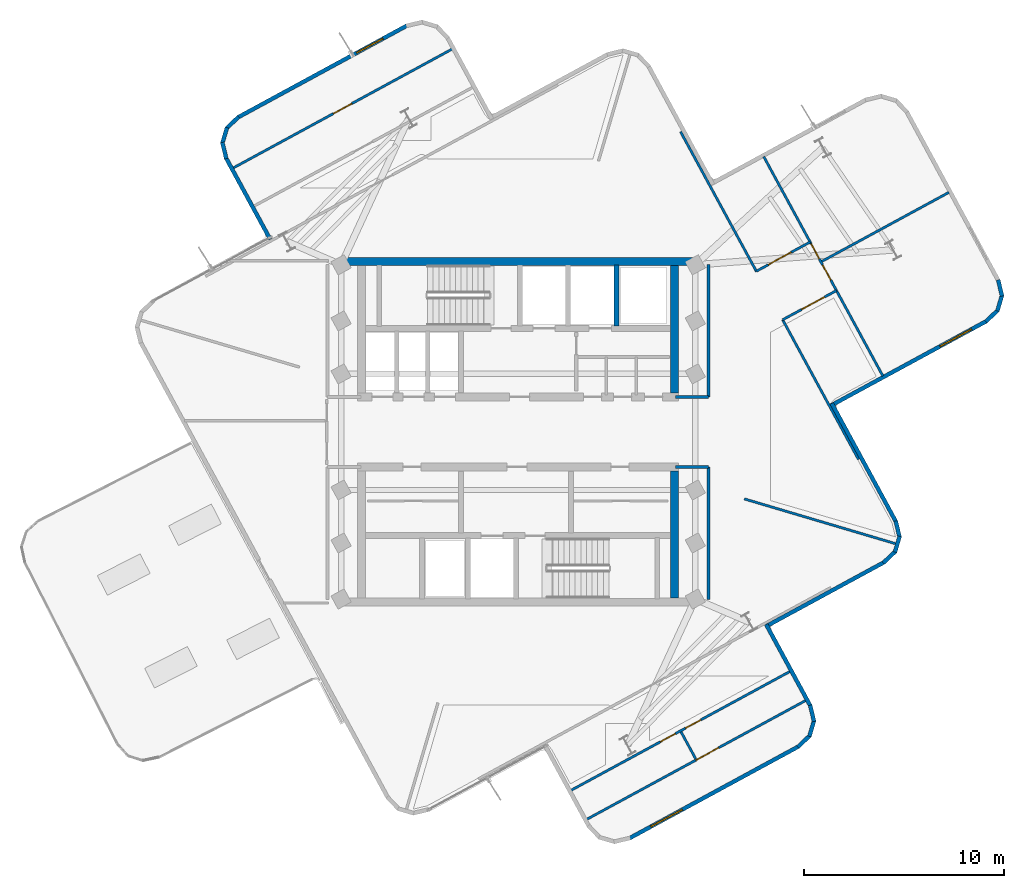
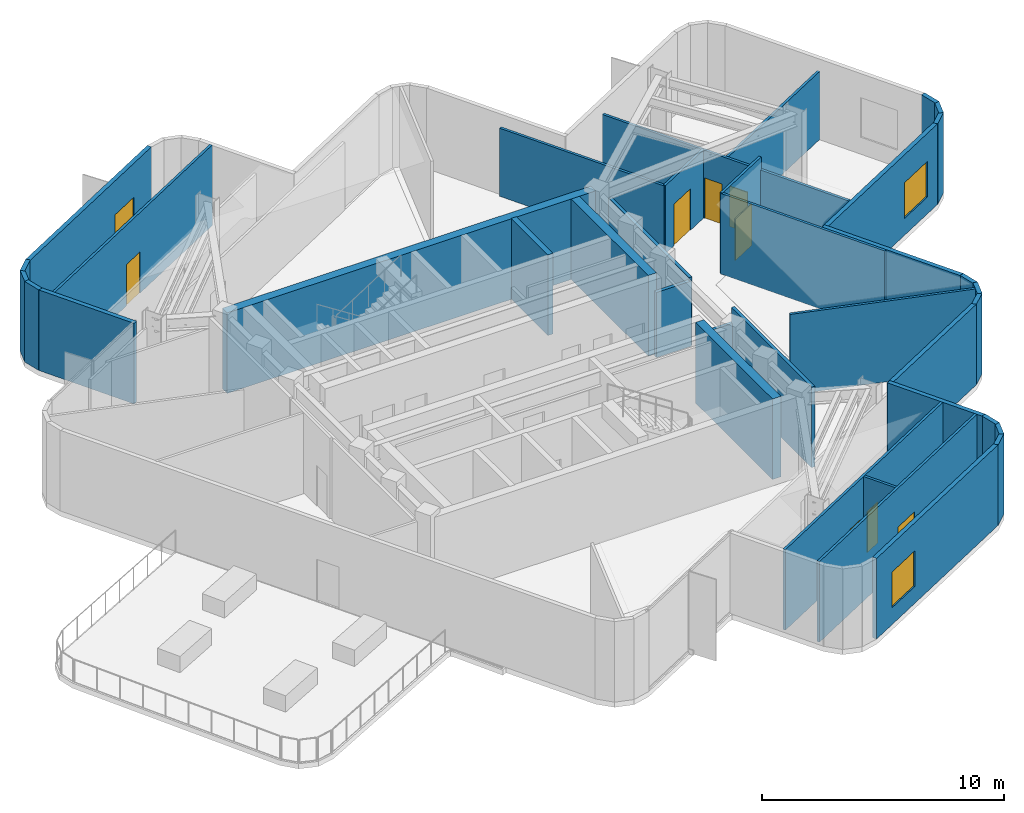
# One storey, part 5 of 10: 38 walls, 8 doors, 3 windows, 11 openings.
"""IFC4 building model written with IfcOpenShell, lengths in metres."""

from ifc_helpers import new_model, si_unit, direction, frame, frame_2d, origin, place, context, subcontext, project, spatial, rectangle, extrude, material, layer, layer_set, type_object, element, fill, save


model = new_model("IFC4")

# Units and contexts
model_context = context("Model", 3, precision=1e-05, world=origin(), true_north=direction((0.0, 1.0)))
body_context = subcontext(model_context, "Body", "Model", "MODEL_VIEW")
ifc_project = project(units=[si_unit("LENGTHUNIT", "METRE"), si_unit("AREAUNIT", "SQUARE_METRE"), si_unit("VOLUMEUNIT", "CUBIC_METRE"), si_unit("PLANEANGLEUNIT", "RADIAN"), si_unit("MASSUNIT", "GRAM", prefix="KILO")], contexts=[model_context])

# Site, building, storey
site_placement = place(None, origin())
site = spatial("IfcSite", under=ifc_project, at=site_placement, CompositionType="ELEMENT")
building_placement = place(site_placement, origin())
building = spatial("IfcBuilding", under=site, at=building_placement, Name="Solmarez Civic Tower", CompositionType="ELEMENT")
storey_placement = place(building_placement, frame((0.0, 0.0, 200.8798828125)))
storey = spatial("IfcBuildingStorey", under=building, at=storey_placement, Name="L53", CompositionType="ELEMENT", Elevation=200.8798828125)

# Walls
ifc_material_1 = material(Name="Concrete C50/60", Category="concrete")
ifc_layer_1 = layer(ifc_material_1, 0.39990234375)
ifc_layer_set_1 = layer_set([ifc_layer_1], Name="Concrete C50/60")
wall_type_1 = type_object("IfcWallType", Name="WALL-CORE-400", PredefinedType="SHEAR", material=ifc_layer_set_1)
wall_1_placement = place(storey_placement, frame((-8.780029296875, 8.510009765625, 0.0), z_axis=(0.0, 0.0, 1.0), x_axis=(1.0, 0.0, 0.0)))
element("IfcWall", 1, at=wall_1_placement, inside=storey, type_object=wall_type_1, Name="L53 Split-Core Structural Wall NCW-N-L53", PredefinedType="SHEAR", context=body_context, shape_type="SweptSolid", body=[
    extrude(rectangle(XDim=17.56005859375, YDim=0.39990234375, at=frame_2d((8.780029296875, 0.0))), origin(), (0.0, 0.0, 1.0), 4.06005859375),
])
for number, where, z_axis, x_axis, name in (
    (2, (7.820068359375, 8.31005859375, 0.0), (0.0, 0.0, 1.0), (0.0, -1.0, 0.0), "L53 Split-Core Structural Wall NCW-E-L53"),
    (3, (7.820068359375, -1.949951171875, 0.0), (0.0, 0.0, 1.0), (0.0, -1.0, 0.0), "L53 Split-Core Structural Wall SCW-E-L53"),
):
    element("IfcWall", number, at=place(storey_placement, frame(where, z_axis=z_axis, x_axis=x_axis)), inside=storey, type_object=wall_type_1, Name=name, PredefinedType="SHEAR", context=body_context, shape_type="SweptSolid", body=[
        extrude(rectangle(XDim=6.360107421875, YDim=0.39990234375, at=frame_2d((3.18017578125, 0.0))), origin(), (0.0, 0.0, 1.0), 4.06005859375),
    ])
ifc_material_2 = material(Name="Precast concrete C40/50", Category="concrete")
ifc_layer_2 = layer(ifc_material_2, 0.199951171875)
ifc_layer_set_2 = layer_set([ifc_layer_2], Name="Precast concrete C40/50")
wall_type_2 = type_object("IfcWallType", Name="WALL-EXT-200", PredefinedType="SOLIDWALL", material=ifc_layer_set_2)
wall_2_placement = place(storey_placement, frame((-12.39306640625, 9.623046875, 0.0), z_axis=(0.0, 0.0, 1.0), x_axis=(-0.47719284897, 0.878798603146, 0.0)))
element("IfcWall", 4, at=wall_2_placement, inside=storey, type_object=wall_type_2, Name="L53 Exterior Precast Wall 13", PredefinedType="SOLIDWALL", context=body_context, shape_type="SweptSolid", body=[
    extrude(rectangle(XDim=4.641357421875, YDim=0.199951171875, at=frame_2d((2.32080078125, 0.0))), origin(), (0.0, 0.0, 1.0), 4.06005859375),
])
wall_3_placement = place(storey_placement, frame((-14.590087890625, 13.656005859375, 0.0), z_axis=(0.0, 0.0, 1.0), x_axis=(-0.233880279999, 0.972265403389, 0.0)))
element("IfcWall", 5, at=wall_3_placement, inside=storey, type_object=wall_type_2, Name="L53 Exterior Precast Wall 14", PredefinedType="SOLIDWALL", context=body_context, shape_type="SweptSolid", body=[
    extrude(rectangle(XDim=0.837158203125, YDim=0.199951171875, at=frame_2d((0.41845703125, 0.0))), origin(), (0.0, 0.0, 1.0), 4.06005859375),
])
wall_4_placement = place(storey_placement, frame((-14.787109375, 14.422119140625, 0.0), z_axis=(0.0, 0.0, 1.0), x_axis=(0.28389681639, 0.958854836586, 0.0)))
element("IfcWall", 6, at=wall_4_placement, inside=storey, type_object=wall_type_2, Name="L53 Exterior Precast Wall 15", PredefinedType="SOLIDWALL", context=body_context, shape_type="SweptSolid", body=[
    extrude(rectangle(XDim=0.82470703125, YDim=0.199951171875, at=frame_2d((0.412353515625, 0.0))), origin(), (0.0, 0.0, 1.0), 4.06005859375),
])
wall_5_placement = place(storey_placement, frame((-14.577880859375, 15.172119140625, 0.0), z_axis=(0.0, 0.0, 1.0), x_axis=(0.724810143348, 0.688948659988, 0.0)))
element("IfcWall", 7, at=wall_5_placement, inside=storey, type_object=wall_type_2, Name="L53 Exterior Precast Wall 16", PredefinedType="SOLIDWALL", context=body_context, shape_type="SweptSolid", body=[
    extrude(rectangle(XDim=0.83740234375, YDim=0.199951171875, at=frame_2d((0.418701171875, 0.0))), origin(), (0.0, 0.0, 1.0), 4.06005859375),
])

# Wall, opening, window
wall_6_placement = place(storey_placement, frame((-14.010986328125, 15.719970703125, 0.0), z_axis=(0.0, 0.0, 1.0), x_axis=(0.878829422659, 0.477136087368, 0.0)))
wall_6 = element("IfcWall", 8, at=wall_6_placement, inside=storey, type_object=wall_type_2, Name="L53 Exterior Precast Wall 17", PredefinedType="SOLIDWALL", context=body_context, shape_type="SweptSolid", body=[
    extrude(rectangle(XDim=9.624267578125, YDim=0.199951171875, at=frame_2d((4.81201171875, 0.0))), origin(), (0.0, 0.0, 1.0), 4.06005859375),
])
opening_1_placement = place(wall_6_placement, frame((6.757080078125, 0.0, 0.85009765625)))
opening_1 = element("IfcOpeningElement", 9, at=opening_1_placement, cuts=wall_6, Name="Opening W-14", PredefinedType="OPENING", context=body_context, shape_type="SweptSolid", body=[
    extrude(rectangle(XDim=1.5, YDim=1.5, at=frame_2d((0.75, 0.75))), frame((0.0, 0.10986328125, 0.0), z_axis=(0.0, -1.0, 0.0), x_axis=(1.0, 0.0, 0.0)), (0.0, 0.0, 1.0), 0.219970703125),
])
ifc_material_3 = material(Name="Solar Control Bronze-Tinted Insulating Glass", Category="glass")
window_type_1 = type_object("IfcWindowType", Name="WIN-1500X1500", PartitioningType="SINGLE_PANEL", PredefinedType="WINDOW", material=ifc_material_3)
window_1_placement = place(opening_1_placement, origin())
window_1 = element("IfcWindow", 10, at=window_1_placement, inside=storey, type_object=window_type_1, Name="L53 Exterior Facade Window 17", OverallHeight=1.5, OverallWidth=1.5, PartitioningType="SINGLE_PANEL", PredefinedType="WINDOW", context=body_context, shape_type="SweptSolid", body=[
    extrude(rectangle(XDim=1.5, YDim=1.5, at=frame_2d((0.75, 0.75))), frame((0.0, 0.030029296875, 0.0), z_axis=(0.0, -1.0, 0.0), x_axis=(1.0, 0.0, 0.0)), (0.0, 0.0, 1.0), 0.06005859375),
])
fill(opening_1, window_1)

# Walls
wall_7_placement = place(storey_placement, frame((23.985107421875, 7.60302734375, 0.0), z_axis=(0.0, 0.0, 1.0), x_axis=(0.233880279999, -0.972265403389, 0.0)))
element("IfcWall", 11, at=wall_7_placement, inside=storey, type_object=wall_type_2, Name="L53 Exterior Precast Wall 36", PredefinedType="SOLIDWALL", context=body_context, shape_type="SweptSolid", body=[
    extrude(rectangle(XDim=0.837158203125, YDim=0.199951171875, at=frame_2d((0.41845703125, 0.0))), origin(), (0.0, 0.0, 1.0), 4.06005859375),
])
wall_8_placement = place(storey_placement, frame((24.181884765625, 6.8369140625, 0.0), z_axis=(0.0, 0.0, 1.0), x_axis=(-0.283544107847, -0.958959195641, 0.0)))
element("IfcWall", 12, at=wall_8_placement, inside=storey, type_object=wall_type_2, Name="L53 Exterior Precast Wall 37", PredefinedType="SOLIDWALL", context=body_context, shape_type="SweptSolid", body=[
    extrude(rectangle(XDim=0.824951171875, YDim=0.199951171875, at=frame_2d((0.41259765625, 0.0))), origin(), (0.0, 0.0, 1.0), 4.06005859375),
])
wall_9_placement = place(storey_placement, frame((23.972900390625, 6.0869140625, 0.0), z_axis=(0.0, 0.0, 1.0), x_axis=(-0.725362992084, -0.688366566384, 0.0)))
element("IfcWall", 13, at=wall_9_placement, inside=storey, type_object=wall_type_2, Name="L53 Exterior Precast Wall 38", PredefinedType="SOLIDWALL", context=body_context, shape_type="SweptSolid", body=[
    extrude(rectangle(XDim=0.838134765625, YDim=0.199951171875, at=frame_2d((0.4189453125, 0.0))), origin(), (0.0, 0.0, 1.0), 4.06005859375),
])

# Wall, opening, window
wall_10_placement = place(storey_placement, frame((23.405029296875, 5.5390625, 0.0), z_axis=(0.0, 0.0, 1.0), x_axis=(-0.878806785067, -0.477177780832, 0.0)))
wall_10 = element("IfcWall", 14, at=wall_10_placement, inside=storey, type_object=wall_type_2, Name="L53 Exterior Precast Wall 39", PredefinedType="SOLIDWALL", context=body_context, shape_type="SweptSolid", body=[
    extrude(rectangle(XDim=8.841552734375, YDim=0.199951171875, at=frame_2d((4.4208984375, 0.0))), origin(), (0.0, 0.0, 1.0), 4.06005859375),
])
opening_2_placement = place(wall_10_placement, frame((0.85009765625, 0.0, 0.85009765625)))
opening_2 = element("IfcOpeningElement", 15, at=opening_2_placement, cuts=wall_10, Name="Opening W-08", PredefinedType="OPENING", context=body_context, shape_type="SweptSolid", body=[
    extrude(rectangle(XDim=1.800048828125, YDim=1.800048828125, at=frame_2d((0.89990234375, 0.89990234375))), frame((0.0, 0.10986328125, 0.0), z_axis=(0.0, -1.0, 0.0), x_axis=(1.0, 0.0, 0.0)), (0.0, 0.0, 1.0), 0.219970703125),
])
window_type_2 = type_object("IfcWindowType", Name="WIN-1800X1800", PartitioningType="SINGLE_PANEL", PredefinedType="WINDOW", material=ifc_material_3)
window_2_placement = place(opening_2_placement, origin())
window_2 = element("IfcWindow", 16, at=window_2_placement, inside=storey, type_object=window_type_2, Name="L53 Exterior Facade Window 39", OverallHeight=1.800048828125, OverallWidth=1.800048828125, PartitioningType="SINGLE_PANEL", PredefinedType="WINDOW", context=body_context, shape_type="SweptSolid", body=[
    extrude(rectangle(XDim=1.800048828125, YDim=1.800048828125, at=frame_2d((0.89990234375, 0.89990234375))), frame((0.0, 0.030029296875, 0.0), z_axis=(0.0, -1.0, 0.0), x_axis=(1.0, 0.0, 0.0)), (0.0, 0.0, 1.0), 0.06005859375),
])
fill(opening_2, window_2)

# Walls
wall_11_placement = place(storey_placement, frame((15.6669921875, 1.427978515625, 0.0), z_axis=(0.0, 0.0, 1.0), x_axis=(0.477219733162, -0.878784004338, 0.0)))
element("IfcWall", 17, at=wall_11_placement, inside=storey, type_object=wall_type_2, Name="L53 Exterior Precast Wall 42", PredefinedType="SOLIDWALL", context=body_context, shape_type="SweptSolid", body=[
    extrude(rectangle(XDim=6.7412109375, YDim=0.199951171875, at=frame_2d((3.37060546875, 0.0))), origin(), (0.0, 0.0, 1.0), 4.06005859375),
])
wall_12_placement = place(storey_placement, frame((18.865966796875, -4.449951171875, 0.0), z_axis=(0.0, 0.0, 1.0), x_axis=(0.233890685703, -0.972262900219, 0.0)))
element("IfcWall", 18, at=wall_12_placement, inside=storey, type_object=wall_type_2, Name="L53 Exterior Precast Wall 43", PredefinedType="SOLIDWALL", context=body_context, shape_type="SweptSolid", body=[
    extrude(rectangle(XDim=0.838134765625, YDim=0.199951171875, at=frame_2d((0.4189453125, 0.0))), origin(), (0.0, 0.0, 1.0), 4.06005859375),
])
wall_13_placement = place(storey_placement, frame((19.06298828125, -5.217041015625, 0.0), z_axis=(0.0, 0.0, 1.0), x_axis=(-0.283866368736, -0.958863850972, 0.0)))
element("IfcWall", 19, at=wall_13_placement, inside=storey, type_object=wall_type_2, Name="L53 Exterior Precast Wall 44", PredefinedType="SOLIDWALL", context=body_context, shape_type="SweptSolid", body=[
    extrude(rectangle(XDim=0.823974609375, YDim=0.199951171875, at=frame_2d((0.412109375, 0.0))), origin(), (0.0, 0.0, 1.0), 4.06005859375),
])
wall_14_placement = place(storey_placement, frame((18.85400390625, -5.966064453125, 0.0), z_axis=(0.0, 0.0, 1.0), x_axis=(-0.725362992084, -0.688366566384, 0.0)))
element("IfcWall", 20, at=wall_14_placement, inside=storey, type_object=wall_type_2, Name="L53 Exterior Precast Wall 45", PredefinedType="SOLIDWALL", context=body_context, shape_type="SweptSolid", body=[
    extrude(rectangle(XDim=0.838134765625, YDim=0.199951171875, at=frame_2d((0.4189453125, 0.0))), origin(), (0.0, 0.0, 1.0), 4.06005859375),
])
wall_15_placement = place(storey_placement, frame((18.285888671875, -6.513916015625, 0.0), z_axis=(0.0, 0.0, 1.0), x_axis=(-0.878808744224, -0.477174172682, 0.0)))
element("IfcWall", 21, at=wall_15_placement, inside=storey, type_object=wall_type_2, Name="L53 Exterior Precast Wall 46", PredefinedType="SOLIDWALL", context=body_context, shape_type="SweptSolid", body=[
    extrude(rectangle(XDim=6.741943359375, YDim=0.199951171875, at=frame_2d((3.37109375, 0.0))), origin(), (0.0, 0.0, 1.0), 4.06005859375),
])
wall_16_placement = place(storey_placement, frame((12.39306640625, -9.623046875, 0.0), z_axis=(0.0, 0.0, 1.0), x_axis=(0.47719284897, -0.878798603146, 0.0)))
element("IfcWall", 22, at=wall_16_placement, inside=storey, type_object=wall_type_2, Name="L53 Exterior Precast Wall 49", PredefinedType="SOLIDWALL", context=body_context, shape_type="SweptSolid", body=[
    extrude(rectangle(XDim=4.641357421875, YDim=0.199951171875, at=frame_2d((2.32080078125, 0.0))), origin(), (0.0, 0.0, 1.0), 4.06005859375),
])
wall_17_placement = place(storey_placement, frame((14.590087890625, -13.656005859375, 0.0), z_axis=(0.0, 0.0, 1.0), x_axis=(0.233880279999, -0.972265403389, 0.0)))
element("IfcWall", 23, at=wall_17_placement, inside=storey, type_object=wall_type_2, Name="L53 Exterior Precast Wall 50", PredefinedType="SOLIDWALL", context=body_context, shape_type="SweptSolid", body=[
    extrude(rectangle(XDim=0.837158203125, YDim=0.199951171875, at=frame_2d((0.41845703125, 0.0))), origin(), (0.0, 0.0, 1.0), 4.06005859375),
])
wall_18_placement = place(storey_placement, frame((14.787109375, -14.422119140625, 0.0), z_axis=(0.0, 0.0, 1.0), x_axis=(-0.28389681639, -0.958854836586, 0.0)))
element("IfcWall", 24, at=wall_18_placement, inside=storey, type_object=wall_type_2, Name="L53 Exterior Precast Wall 51", PredefinedType="SOLIDWALL", context=body_context, shape_type="SweptSolid", body=[
    extrude(rectangle(XDim=0.82470703125, YDim=0.199951171875, at=frame_2d((0.412353515625, 0.0))), origin(), (0.0, 0.0, 1.0), 4.06005859375),
])
wall_19_placement = place(storey_placement, frame((14.577880859375, -15.172119140625, 0.0), z_axis=(0.0, 0.0, 1.0), x_axis=(-0.724810143348, -0.688948659988, 0.0)))
element("IfcWall", 25, at=wall_19_placement, inside=storey, type_object=wall_type_2, Name="L53 Exterior Precast Wall 52", PredefinedType="SOLIDWALL", context=body_context, shape_type="SweptSolid", body=[
    extrude(rectangle(XDim=0.83740234375, YDim=0.199951171875, at=frame_2d((0.418701171875, 0.0))), origin(), (0.0, 0.0, 1.0), 4.06005859375),
])

# Wall, opening, window
wall_20_placement = place(storey_placement, frame((14.010986328125, -15.719970703125, 0.0), z_axis=(0.0, 0.0, 1.0), x_axis=(-0.878829422659, -0.477136087368, 0.0)))
wall_20 = element("IfcWall", 26, at=wall_20_placement, inside=storey, type_object=wall_type_2, Name="L53 Exterior Precast Wall 53", PredefinedType="SOLIDWALL", context=body_context, shape_type="SweptSolid", body=[
    extrude(rectangle(XDim=9.624267578125, YDim=0.199951171875, at=frame_2d((4.81201171875, 0.0))), origin(), (0.0, 0.0, 1.0), 4.06005859375),
])
opening_3_placement = place(wall_20_placement, frame((6.60693359375, 0.0, 0.85009765625)))
opening_3 = element("IfcOpeningElement", 27, at=opening_3_placement, cuts=wall_20, Name="Opening W-08", PredefinedType="OPENING", context=body_context, shape_type="SweptSolid", body=[
    extrude(rectangle(XDim=1.800048828125, YDim=1.800048828125, at=frame_2d((0.89990234375, 0.89990234375))), frame((0.0, 0.10986328125, 0.0), z_axis=(0.0, -1.0, 0.0), x_axis=(1.0, 0.0, 0.0)), (0.0, 0.0, 1.0), 0.219970703125),
])
window_3_placement = place(opening_3_placement, origin())
window_3 = element("IfcWindow", 28, at=window_3_placement, inside=storey, type_object=window_type_2, Name="L53 Exterior Facade Window 53", OverallHeight=1.800048828125, OverallWidth=1.800048828125, PartitioningType="SINGLE_PANEL", PredefinedType="WINDOW", context=body_context, shape_type="SweptSolid", body=[
    extrude(rectangle(XDim=1.800048828125, YDim=1.800048828125, at=frame_2d((0.89990234375, 0.89990234375))), frame((0.0, 0.030029296875, 0.0), z_axis=(0.0, -1.0, 0.0), x_axis=(1.0, 0.0, 0.0)), (0.0, 0.0, 1.0), 0.06005859375),
])
fill(opening_3, window_3)

# Walls
ifc_material_4 = material(Name="Gypsum Board Acoustic Steel-Stud Partition", Category="steel")
ifc_layer_3 = layer(ifc_material_4, 0.14990234375)
ifc_layer_set_3 = layer_set([ifc_layer_3], Name="Gypsum Board Acoustic Steel-Stud Partition")
wall_type_3 = type_object("IfcWallType", Name="WALL-INT-FIRE-150", PredefinedType="PARTITIONING", material=ifc_layer_set_3)
wall_21_placement = place(storey_placement, frame((9.52001953125, 1.75, 0.0), z_axis=(0.0, 0.0, 1.0), x_axis=(0.0, 1.0, 0.0)))
element("IfcWall", 29, at=wall_21_placement, inside=storey, type_object=wall_type_3, Name="L53 Interior Partition CHW-L53-EN1", PredefinedType="PARTITIONING", context=body_context, shape_type="SweptSolid", body=[
    extrude(rectangle(XDim=6.6298828125, YDim=0.14990234375, at=frame_2d((3.31494140625, 0.0))), origin(), (0.0, 0.0, 1.0), 3.43017578125),
])
wall_22_placement = place(storey_placement, frame((7.85009765625, 1.75, 0.0), z_axis=(0.0, 0.0, 1.0), x_axis=(1.0, 0.0, 0.0)))
element("IfcWall", 30, at=wall_22_placement, inside=storey, type_object=wall_type_3, Name="L53 Interior Partition CHW-L53-EN3", PredefinedType="PARTITIONING", context=body_context, shape_type="SweptSolid", body=[
    extrude(rectangle(XDim=1.669921875, YDim=0.14990234375, at=frame_2d((0.8349609375, 0.0))), origin(), (0.0, 0.0, 1.0), 3.2900390625),
])
wall_23_placement = place(storey_placement, frame((9.52001953125, -8.3798828125, 0.0), z_axis=(0.0, 0.0, 1.0), x_axis=(0.0, 1.0, 0.0)))
element("IfcWall", 31, at=wall_23_placement, inside=storey, type_object=wall_type_3, Name="L53 Interior Partition CHW-L53-ES1", PredefinedType="PARTITIONING", context=body_context, shape_type="SweptSolid", body=[
    extrude(rectangle(XDim=6.6298828125, YDim=0.14990234375, at=frame_2d((3.31494140625, 0.0))), origin(), (0.0, 0.0, 1.0), 4.06005859375),
])
wall_24_placement = place(storey_placement, frame((7.85009765625, -1.75, 0.0), z_axis=(0.0, 0.0, 1.0), x_axis=(1.0, 0.0, 0.0)))
element("IfcWall", 32, at=wall_24_placement, inside=storey, type_object=wall_type_3, Name="L53 Interior Partition CHW-L53-ES3", PredefinedType="PARTITIONING", context=body_context, shape_type="SweptSolid", body=[
    extrude(rectangle(XDim=1.669921875, YDim=0.14990234375, at=frame_2d((0.8349609375, 0.0))), origin(), (0.0, 0.0, 1.0), 3.2900390625),
])
ifc_layer_4 = layer(ifc_material_4, 0.1201171875)
ifc_layer_set_4 = layer_set([ifc_layer_4], Name="Gypsum Board Acoustic Steel-Stud Partition")
wall_type_4 = type_object("IfcWallType", Name="WALL-INT-PART-120", PredefinedType="PARTITIONING", material=ifc_layer_set_4)
wall_25_placement = place(storey_placement, frame((11.300048828125, -3.346923828125, 0.0), z_axis=(0.0, 0.0, 1.0), x_axis=(0.958832980981, -0.283970622747, 0.0)))
element("IfcWall", 33, at=wall_25_placement, inside=storey, type_object=wall_type_4, Name="L53 Interior Partition PT-L53-QDIV-4", PredefinedType="PARTITIONING", context=body_context, shape_type="SweptSolid", body=[
    extrude(rectangle(XDim=7.90966796875, YDim=0.1201171875, at=frame_2d((3.954833984375, 0.0))), origin(), (0.0, 0.0, 1.0), 4.06005859375),
])
wall_26_placement = place(storey_placement, frame((11.905029296875, 8.02294921875, 0.0), z_axis=(0.0, 0.0, 1.0), x_axis=(-0.477237565532, 0.878774320315, 0.0)))
element("IfcWall", 34, at=wall_26_placement, inside=storey, type_object=wall_type_4, Name="L53 Interior Partition PT-L53-E-EFL", PredefinedType="PARTITIONING", context=body_context, shape_type="SweptSolid", body=[
    extrude(rectangle(XDim=7.94970703125, YDim=0.1201171875, at=frame_2d((3.974853515625, 0.0))), origin(), (0.0, 0.0, 1.0), 3.43017578125),
])
wall_27_placement = place(storey_placement, frame((17.006103515625, -1.3720703125, 0.0), z_axis=(0.0, 0.0, 1.0), x_axis=(-0.477209766936, 0.878789416379, 0.0)))
element("IfcWall", 35, at=wall_27_placement, inside=storey, type_object=wall_type_4, Name="L53 Interior Partition PT-L53-E-EFR", PredefinedType="PARTITIONING", context=body_context, shape_type="SweptSolid", body=[
    extrude(rectangle(XDim=7.95068359375, YDim=0.1201171875, at=frame_2d((3.975341796875, 0.0))), origin(), (0.0, 0.0, 1.0), 4.06005859375),
])

# Wall, opening, door
wall_28_placement = place(storey_placement, frame((14.589111328125, 9.490966796875, 0.0), z_axis=(0.0, 0.0, 1.0), x_axis=(-0.878839093996, -0.477118273454, 0.0)))
wall_28 = element("IfcWall", 36, at=wall_28_placement, inside=storey, type_object=wall_type_4, Name="L53 Interior Partition PT-L53-E-SL", PredefinedType="PARTITIONING", context=body_context, shape_type="SweptSolid", body=[
    extrude(rectangle(XDim=3.06005859375, YDim=0.1201171875, at=frame_2d((1.530029296875, 0.0))), origin(), (0.0, 0.0, 1.0), 3.43017578125),
])
opening_4_placement = place(wall_28_placement, frame((1.080078125, 0.0, 0.0)))
opening_4 = element("IfcOpeningElement", 37, at=opening_4_placement, cuts=wall_28, Name="Opening D-15", PredefinedType="OPENING", context=body_context, shape_type="SweptSolid", body=[
    extrude(rectangle(XDim=1.300048828125, YDim=2.10009765625, at=frame_2d((0.64990234375, 1.050048828125))), frame((0.0, 0.070068359375, 0.0), z_axis=(0.0, -1.0, 0.0), x_axis=(1.0, 0.0, 0.0)), (0.0, 0.0, 1.0), 0.14013671875),
])
ifc_material_5 = material(Name="Tribunal Hearing Conference Door", Category="wood")
door_type_1 = type_object("IfcDoorType", Name="DOOR-INT-1300", OperationType="NOTDEFINED", PredefinedType="DOOR", material=ifc_material_5)
door_1_placement = place(opening_4_placement, origin())
door_1 = element("IfcDoor", 38, at=door_1_placement, inside=storey, type_object=door_type_1, Name="L53 Municipal Co-Working Office East Door", OperationType="SINGLE_SWING_LEFT", OverallHeight=2.10009765625, OverallWidth=1.300048828125, PredefinedType="DOOR", context=body_context, shape_type="SweptSolid", body=[
    extrude(rectangle(XDim=1.300048828125, YDim=2.10009765625, at=frame_2d((0.64990234375, 1.050048828125))), frame((0.0, 0.02490234375, 0.0), z_axis=(0.0, -1.0, 0.0), x_axis=(1.0, 0.0, 0.0)), (0.0, 0.0, 1.0), 0.050048828125),
])
fill(opening_4, door_1)

wall_29_placement = place(storey_placement, frame((13.217041015625, 5.60595703125, 0.0), z_axis=(0.0, 0.0, 1.0), x_axis=(0.87882092953, 0.477151730397, 0.0)))
wall_29 = element("IfcWall", 39, at=wall_29_placement, inside=storey, type_object=wall_type_4, Name="L53 Interior Partition PT-L53-E-SR", PredefinedType="PARTITIONING", context=body_context, shape_type="SweptSolid", body=[
    extrude(rectangle(XDim=3.059814453125, YDim=0.1201171875, at=frame_2d((1.52978515625, 0.0))), origin(), (0.0, 0.0, 1.0), 4.06005859375),
])
opening_5_placement = place(wall_29_placement, frame((1.080078125, 0.0, 0.0)))
opening_5 = element("IfcOpeningElement", 40, at=opening_5_placement, cuts=wall_29, Name="Opening D-15", PredefinedType="OPENING", context=body_context, shape_type="SweptSolid", body=[
    extrude(rectangle(XDim=1.300048828125, YDim=2.10009765625, at=frame_2d((0.64990234375, 1.050048828125))), frame((0.0, 0.070068359375, 0.0), z_axis=(0.0, -1.0, 0.0), x_axis=(1.0, 0.0, 0.0)), (0.0, 0.0, 1.0), 0.14013671875),
])
door_2_placement = place(opening_5_placement, origin())
door_2 = element("IfcDoor", 41, at=door_2_placement, inside=storey, type_object=door_type_1, Name="L53 Civic Seminar Classroom East Door", OperationType="SINGLE_SWING_RIGHT", OverallHeight=2.10009765625, OverallWidth=1.300048828125, PredefinedType="DOOR", context=body_context, shape_type="SweptSolid", body=[
    extrude(rectangle(XDim=1.300048828125, YDim=2.10009765625, at=frame_2d((0.64990234375, 1.050048828125))), frame((0.0, 0.02490234375, 0.0), z_axis=(0.0, -1.0, 0.0), x_axis=(1.0, 0.0, 0.0)), (0.0, 0.0, 1.0), 0.050048828125),
])
fill(opening_5, door_2)

# Wall
wall_30_placement = place(storey_placement, frame((15.180908203125, 8.527099609375, 0.0), z_axis=(0.0, 0.0, 1.0), x_axis=(0.878776100726, 0.477234287109, 0.0)))
element("IfcWall", 42, at=wall_30_placement, inside=storey, type_object=wall_type_4, Name="L53 Interior Partition PT-L53-E-TM", PredefinedType="PARTITIONING", context=body_context, shape_type="SweptSolid", body=[
    extrude(rectangle(XDim=7.224853515625, YDim=0.1201171875, at=frame_2d((3.6123046875, 0.0))), origin(), (0.0, 0.0, 1.0), 3.43017578125),
])

# Wall, openings, doors
wall_31_placement = place(storey_placement, frame((12.27197265625, 13.758056640625, 0.0), z_axis=(0.0, 0.0, 1.0), x_axis=(0.477201164774, -0.878794087564, 0.0)))
wall_31 = element("IfcWall", 43, at=wall_31_placement, inside=storey, type_object=wall_type_4, Name="L53 Interior Partition PT-L53-E-END", PredefinedType="PARTITIONING", context=body_context, shape_type="SweptSolid", body=[
    extrude(rectangle(XDim=12.470458984375, YDim=0.1201171875, at=frame_2d((6.2353515625, 0.0))), origin(), (0.0, 0.0, 1.0), 3.43017578125),
])
opening_6_placement = place(wall_31_placement, frame((6.155029296875, 0.0, 0.0)))
opening_6 = element("IfcOpeningElement", 44, at=opening_6_placement, cuts=wall_31, Name="Opening D-14", PredefinedType="OPENING", context=body_context, shape_type="SweptSolid", body=[
    extrude(rectangle(XDim=0.860107421875, YDim=2.0400390625, at=frame_2d((0.43017578125, 1.02001953125))), frame((0.0, 0.070068359375, 0.0), z_axis=(0.0, -1.0, 0.0), x_axis=(1.0, 0.0, 0.0)), (0.0, 0.0, 1.0), 0.14013671875),
])
opening_7_placement = place(wall_31_placement, frame((4.955078125, 0.0, 0.0)))
opening_7 = element("IfcOpeningElement", 45, at=opening_7_placement, cuts=wall_31, Name="Opening D-14", PredefinedType="OPENING", context=body_context, shape_type="SweptSolid", body=[
    extrude(rectangle(XDim=0.860107421875, YDim=2.0400390625, at=frame_2d((0.43017578125, 1.02001953125))), frame((0.0, 0.070068359375, 0.0), z_axis=(0.0, -1.0, 0.0), x_axis=(1.0, 0.0, 0.0)), (0.0, 0.0, 1.0), 0.14013671875),
])
ifc_material_6 = material(Name="Timber Storage and Pantry Door", Category="wood")
door_type_2 = type_object("IfcDoorType", Name="DOOR-INT-850", OperationType="NOTDEFINED", PredefinedType="DOOR", material=ifc_material_6)
door_3_placement = place(opening_6_placement, origin())
door_3 = element("IfcDoor", 46, at=door_3_placement, inside=storey, type_object=door_type_2, Name="L53 Security Control Room Sixth East Door", OperationType="SINGLE_SWING_RIGHT", OverallHeight=2.0400390625, OverallWidth=0.860107421875, PredefinedType="DOOR", context=body_context, shape_type="SweptSolid", body=[
    extrude(rectangle(XDim=0.860107421875, YDim=2.0400390625, at=frame_2d((0.43017578125, 1.02001953125))), frame((0.0, 0.02490234375, 0.0), z_axis=(0.0, -1.0, 0.0), x_axis=(1.0, 0.0, 0.0)), (0.0, 0.0, 1.0), 0.050048828125),
])
fill(opening_6, door_3)
door_4_placement = place(opening_7_placement, origin())
door_4 = element("IfcDoor", 47, at=door_4_placement, inside=storey, type_object=door_type_2, Name="L53 Public Law Reading Room Fifth East Door", OperationType="SINGLE_SWING_LEFT", OverallHeight=2.0400390625, OverallWidth=0.860107421875, PredefinedType="DOOR", context=body_context, shape_type="SweptSolid", body=[
    extrude(rectangle(XDim=0.860107421875, YDim=2.0400390625, at=frame_2d((0.43017578125, 1.02001953125))), frame((0.0, 0.02490234375, 0.0), z_axis=(0.0, -1.0, 0.0), x_axis=(1.0, 0.0, 0.0)), (0.0, 0.0, 1.0), 0.050048828125),
])
fill(opening_7, door_4)

# Wall, opening, door
wall_32_placement = place(storey_placement, frame((-14.25390625, 13.18603515625, 0.0), z_axis=(0.0, 0.0, 1.0), x_axis=(0.878776252911, 0.477234006878, 0.0)))
wall_32 = element("IfcWall", 48, at=wall_32_placement, inside=storey, type_object=wall_type_4, Name="L53 Interior Partition PT-L53-N-SC2", PredefinedType="PARTITIONING", context=body_context, shape_type="SweptSolid", body=[
    extrude(rectangle(XDim=12.4697265625, YDim=0.1201171875, at=frame_2d((6.23486328125, 0.0))), origin(), (0.0, 0.0, 1.0), 4.06005859375),
])
opening_8_placement = place(wall_32_placement, frame((5.7099609375, 0.0, 0.0)))
opening_8 = element("IfcOpeningElement", 49, at=opening_8_placement, cuts=wall_32, Name="Opening D-13", PredefinedType="OPENING", context=body_context, shape_type="SweptSolid", body=[
    extrude(rectangle(XDim=1.050048828125, YDim=2.080078125, at=frame_2d((0.52490234375, 1.0400390625))), frame((0.0, 0.070068359375, 0.0), z_axis=(0.0, -1.0, 0.0), x_axis=(1.0, 0.0, 0.0)), (0.0, 0.0, 1.0), 0.14013671875),
])
ifc_material_7 = material(Name="Timber Directorate Office Door", Category="wood")
door_type_3 = type_object("IfcDoorType", Name="DOOR-INT-1050", OperationType="NOTDEFINED", PredefinedType="DOOR", material=ifc_material_7)
door_5_placement = place(opening_8_placement, origin())
door_5 = element("IfcDoor", 50, at=door_5_placement, inside=storey, type_object=door_type_3, Name="L53 Municipal Co-Working Office North Door", OperationType="SINGLE_SWING_RIGHT", OverallHeight=2.080078125, OverallWidth=1.050048828125, PredefinedType="DOOR", context=body_context, shape_type="SweptSolid", body=[
    extrude(rectangle(XDim=1.050048828125, YDim=2.080078125, at=frame_2d((0.52490234375, 1.0400390625))), frame((0.0, 0.02490234375, 0.0), z_axis=(0.0, -1.0, 0.0), x_axis=(1.0, 0.0, 0.0)), (0.0, 0.0, 1.0), 0.050048828125),
])
fill(opening_8, door_5)

# Wall
wall_33_placement = place(storey_placement, frame((8.139892578125, -14.992919921875, 0.0), z_axis=(0.0, 0.0, 1.0), x_axis=(0.477408848041, -0.878681279994, 0.0)))
element("IfcWall", 51, at=wall_33_placement, inside=storey, type_object=wall_type_4, Name="L53 Interior Partition PT-L53-S-MM", PredefinedType="PARTITIONING", context=body_context, shape_type="SweptSolid", body=[
    extrude(rectangle(XDim=1.529541015625, YDim=0.1201171875, at=frame_2d((0.7646484375, 0.0))), origin(), (0.0, 0.0, 1.0), 4.06005859375),
])

# Wall, openings, doors
wall_34_placement = place(storey_placement, frame((2.632080078125, -17.9150390625, 0.0), z_axis=(0.0, 0.0, 1.0), x_axis=(0.878826926887, 0.477140684262, 0.0)))
wall_34 = element("IfcWall", 52, at=wall_34_placement, inside=storey, type_object=wall_type_4, Name="L53 Interior Partition PT-L53-S-S1", PredefinedType="PARTITIONING", context=body_context, shape_type="SweptSolid", body=[
    extrude(rectangle(XDim=12.469970703125, YDim=0.1201171875, at=frame_2d((6.23486328125, 0.0))), origin(), (0.0, 0.0, 1.0), 4.06005859375),
])
opening_9_placement = place(wall_34_placement, frame((5.0849609375, 0.0, 0.0)))
opening_9 = element("IfcOpeningElement", 53, at=opening_9_placement, cuts=wall_34, Name="Opening D-14", PredefinedType="OPENING", context=body_context, shape_type="SweptSolid", body=[
    extrude(rectangle(XDim=0.860107421875, YDim=2.0400390625, at=frame_2d((0.43017578125, 1.02001953125))), frame((0.0, 0.070068359375, 0.0), z_axis=(0.0, -1.0, 0.0), x_axis=(1.0, 0.0, 0.0)), (0.0, 0.0, 1.0), 0.14013671875),
])
opening_10_placement = place(wall_34_placement, frame((6.52490234375, 0.0, 0.0)))
opening_10 = element("IfcOpeningElement", 54, at=opening_10_placement, cuts=wall_34, Name="Opening D-14", PredefinedType="OPENING", context=body_context, shape_type="SweptSolid", body=[
    extrude(rectangle(XDim=0.860107421875, YDim=2.0400390625, at=frame_2d((0.43017578125, 1.02001953125))), frame((0.0, 0.070068359375, 0.0), z_axis=(0.0, -1.0, 0.0), x_axis=(1.0, 0.0, 0.0)), (0.0, 0.0, 1.0), 0.14013671875),
])
door_6_placement = place(opening_9_placement, origin())
door_6 = element("IfcDoor", 55, at=door_6_placement, inside=storey, type_object=door_type_2, Name="L53 Civic Seminar Classroom Third South Door", OperationType="SINGLE_SWING_RIGHT", OverallHeight=2.0400390625, OverallWidth=0.860107421875, PredefinedType="DOOR", context=body_context, shape_type="SweptSolid", body=[
    extrude(rectangle(XDim=0.860107421875, YDim=2.0400390625, at=frame_2d((0.43017578125, 1.02001953125))), frame((0.0, 0.02490234375, 0.0), z_axis=(0.0, -1.0, 0.0), x_axis=(1.0, 0.0, 0.0)), (0.0, 0.0, 1.0), 0.050048828125),
])
fill(opening_9, door_6)
door_7_placement = place(opening_10_placement, origin())
door_7 = element("IfcDoor", 56, at=door_7_placement, inside=storey, type_object=door_type_2, Name="L53 Municipal Co-Working Office Second South Door", OperationType="SINGLE_SWING_LEFT", OverallHeight=2.0400390625, OverallWidth=0.860107421875, PredefinedType="DOOR", context=body_context, shape_type="SweptSolid", body=[
    extrude(rectangle(XDim=0.860107421875, YDim=2.0400390625, at=frame_2d((0.43017578125, 1.02001953125))), frame((0.0, 0.02490234375, 0.0), z_axis=(0.0, -1.0, 0.0), x_axis=(1.0, 0.0, 0.0)), (0.0, 0.0, 1.0), 0.050048828125),
])
fill(opening_10, door_7)

# Wall, opening, door
wall_35_placement = place(storey_placement, frame((14.37890625, -13.4150390625, 0.0), z_axis=(0.0, 0.0, 1.0), x_axis=(-0.878844754006, -0.477107847721, 0.0)))
wall_35 = element("IfcWall", 57, at=wall_35_placement, inside=storey, type_object=wall_type_4, Name="L53 Interior Partition PT-L53-S-S2", PredefinedType="PARTITIONING", context=body_context, shape_type="SweptSolid", body=[
    extrude(rectangle(XDim=12.470947265625, YDim=0.1201171875, at=frame_2d((6.2353515625, 0.0))), origin(), (0.0, 0.0, 1.0), 4.06005859375),
])
opening_11_placement = place(wall_35_placement, frame((4.9599609375, 0.0, 0.0)))
opening_11 = element("IfcOpeningElement", 58, at=opening_11_placement, cuts=wall_35, Name="Opening D-15", PredefinedType="OPENING", context=body_context, shape_type="SweptSolid", body=[
    extrude(rectangle(XDim=1.300048828125, YDim=2.10009765625, at=frame_2d((0.64990234375, 1.050048828125))), frame((0.0, 0.070068359375, 0.0), z_axis=(0.0, -1.0, 0.0), x_axis=(1.0, 0.0, 0.0)), (0.0, 0.0, 1.0), 0.14013671875),
])
door_8_placement = place(opening_11_placement, origin())
door_8 = element("IfcDoor", 59, at=door_8_placement, inside=storey, type_object=door_type_1, Name="L53 Public Law Reading Room Fourth South Door", OperationType="SINGLE_SWING_LEFT", OverallHeight=2.10009765625, OverallWidth=1.300048828125, PredefinedType="DOOR", context=body_context, shape_type="SweptSolid", body=[
    extrude(rectangle(XDim=1.300048828125, YDim=2.10009765625, at=frame_2d((0.64990234375, 1.050048828125))), frame((0.0, 0.02490234375, 0.0), z_axis=(0.0, -1.0, 0.0), x_axis=(1.0, 0.0, 0.0)), (0.0, 0.0, 1.0), 0.050048828125),
])
fill(opening_11, door_8)

# Wall
ifc_layer_5 = layer(ifc_material_1, 0.300048828125)
ifc_layer_set_5 = layer_set([ifc_layer_5], Name="Concrete C50/60")
wall_type_5 = type_object("IfcWallType", Name="WALL-STR-300", PredefinedType="SOLIDWALL", material=ifc_layer_set_5)
wall_36_placement = place(storey_placement, frame((4.89990234375, 5.300048828125, 0.0), z_axis=(0.0, 0.0, 1.0), x_axis=(0.0, 1.0, 0.0)))
element("IfcWall", 60, at=wall_36_placement, inside=storey, type_object=wall_type_5, Name="L53 Split-Core Structural Wall SHW-N3-L53", PredefinedType="SOLIDWALL", context=body_context, shape_type="SweptSolid", body=[
    extrude(rectangle(XDim=3.0400390625, YDim=0.25, at=frame_2d((1.52001953125, 0.0))), origin(), (0.0, 0.0, 1.0), 4.06005859375),
])

save(model, "model.ifc")
